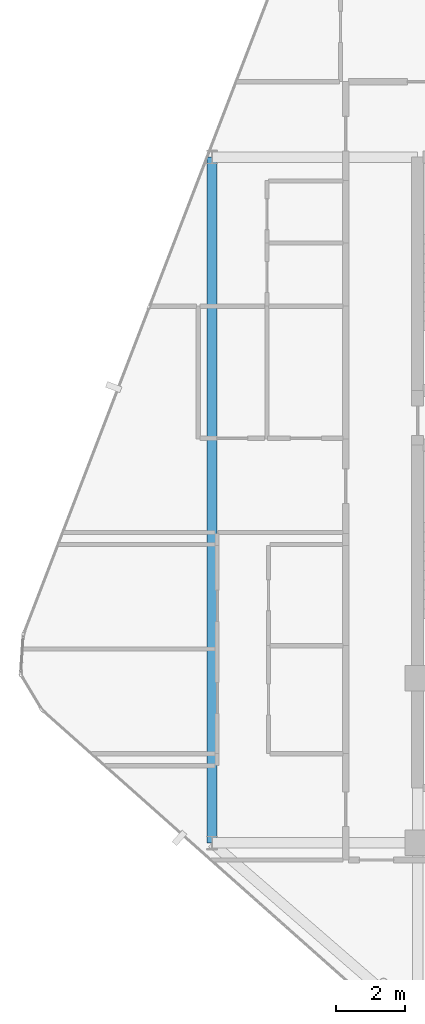
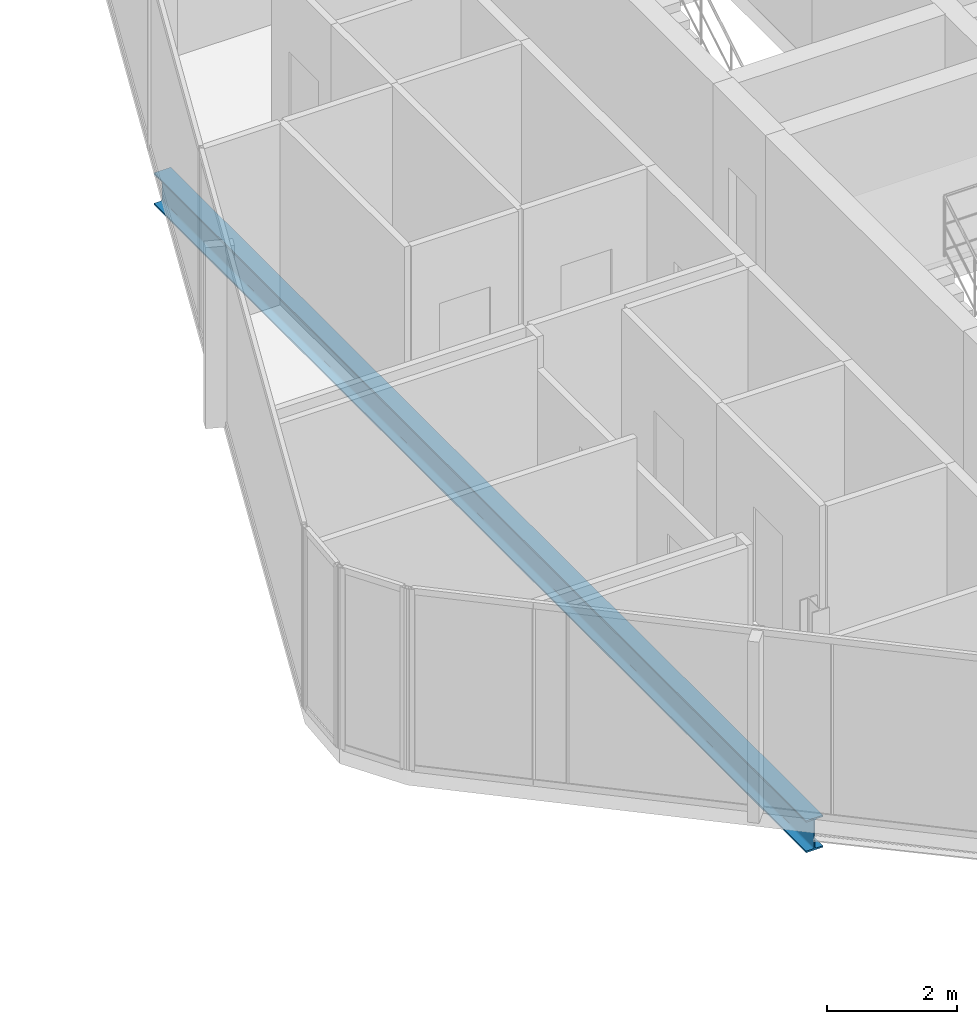
# One storey, part 9 of 28: 1 beam.
"""IFC4 building model written with IfcOpenShell, lengths in metres."""

import ifcopenshell
import ifcopenshell.guid

model = None  # the IFC model being written
_history = None  # IfcOwnerHistory: only IFC2X3 demands one
_inside = {}  # id of a spatial element -> (the spatial element, [elements in it])
_under = {}  # id of a project, library or spatial element -> (it, [spatial elements below it])
_declared = {}  # id of a project -> (the project, [libraries it declares])
_typed = {}  # id of a type object -> (the type object, [elements of that type])
_made_of = {}  # id of a material, layer set ... -> (it, [elements and type objects made of it])


def new_model(schema):
    """Start an empty IFC model of exactly this schema.

    Asked for "IFC4X3", IfcOpenShell would pick the latest addendum, in which some entities
    have other attributes; the version numbers below select the first issue.
    IFC2X3 requires an IfcOwnerHistory on every rooted entity: one is made here for all.
    """
    global model, _history
    if schema == "IFC4X3":
        model = ifcopenshell.file(schema_version=(4, 3, 0, 0))
    else:
        model = ifcopenshell.file(schema=schema)
    _inside.clear()
    _under.clear()
    _declared.clear()
    _typed.clear()
    _made_of.clear()
    _history = None
    if model.schema == "IFC2X3":
        org = make("IfcOrganization", Name="unknown")
        user = make(
            "IfcPersonAndOrganization",
            ThePerson=make("IfcPerson", FamilyName="unknown"),
            TheOrganization=org,
        )
        app = make(
            "IfcApplication",
            ApplicationDeveloper=org,
            Version="unknown",
            ApplicationFullName="unknown",
            ApplicationIdentifier="unknown",
        )
        _history = make(
            "IfcOwnerHistory",
            OwningUser=user,
            OwningApplication=app,
            ChangeAction="ADDED",
            CreationDate=0,
        )
    return model


def make(cls, **values):
    """One entity of the class cls with the attributes given. An attribute that is None is left unset."""
    return model.create_entity(
        cls, **{name: value for name, value in values.items() if value is not None}
    )


def rooted(cls, **values):
    """An entity with a GlobalId (a new one), such as an element, a storey or a relation."""
    return make(cls, GlobalId=ifcopenshell.guid.new(), OwnerHistory=_history, **values)


def si_unit(unit_type, name, prefix=None):
    """IfcSIUnit, for example si_unit("LENGTHUNIT", "METRE", prefix="MILLI")."""
    return make("IfcSIUnit", UnitType=unit_type, Prefix=prefix, Name=name)


def assignment(units):
    """IfcUnitAssignment: the units of a project."""
    return None if units is None else make("IfcUnitAssignment", Units=units)


def point(xyz):
    """IfcCartesianPoint."""
    return None if xyz is None else make("IfcCartesianPoint", Coordinates=xyz)


def direction(xyz):
    """IfcDirection."""
    return None if xyz is None else make("IfcDirection", DirectionRatios=xyz)


def frame(location, z_axis=None, x_axis=None):
    """IfcAxis2Placement3D, a coordinate frame: its origin and axes. An axis left out is left unset."""
    return make(
        "IfcAxis2Placement3D",
        Location=point(location),
        Axis=direction(z_axis),
        RefDirection=direction(x_axis),
    )


def frame_2d(location, x_axis=None):
    """IfcAxis2Placement2D, a coordinate frame in the plane: its origin and x axis."""
    return make(
        "IfcAxis2Placement2D", Location=point(location), RefDirection=direction(x_axis)
    )


def origin():
    """The frame at (0, 0, 0) with its axes left unset."""
    return frame((0.0, 0.0, 0.0))


def origin_2d():
    """The frame at (0, 0) in the plane with its x axis left unset."""
    return frame_2d((0.0, 0.0))


def place(relative_to, where):
    """IfcLocalPlacement: puts the frame where relative to a parent placement (None: the world)."""
    return make(
        "IfcLocalPlacement", PlacementRelTo=relative_to, RelativePlacement=where
    )


def context(
    kind, dimensions, precision=None, world=None, true_north=None, identifier=None
):
    """IfcGeometricRepresentationContext, for example the 3D "Model" context."""
    return make(
        "IfcGeometricRepresentationContext",
        ContextIdentifier=identifier,
        ContextType=kind,
        CoordinateSpaceDimension=dimensions,
        Precision=precision,
        WorldCoordinateSystem=world,
        TrueNorth=true_north,
    )


def subcontext(parent, identifier, kind, view, scale=None):
    """IfcGeometricRepresentationSubContext, for example "Body" below "Model"."""
    return make(
        "IfcGeometricRepresentationSubContext",
        ContextIdentifier=identifier,
        ContextType=kind,
        ParentContext=parent,
        TargetScale=scale,
        TargetView=view,
    )


def project(units=None, contexts=None):
    """IfcProject with its units and contexts."""
    return rooted(
        "IfcProject",
        Name="project",
        RepresentationContexts=contexts,
        UnitsInContext=assignment(units),
    )


def spatial(cls, under=None, at=None, **own):
    """A site, building, storey or space (cls), placed at a placement, below another one or the project."""
    s = rooted(cls, ObjectPlacement=at, **own)
    if under is not None:
        _under.setdefault(under.id(), (under, []))[1].append(s)
    return s


def profile(cls, at=None, kind="AREA", **sizes):
    """A parametric profile (cls). Its sizes go by their IFC names, for example OverallWidth=200.0."""
    return make(cls, ProfileType=kind, Position=at, **sizes)


def i_section(**sizes):
    """IfcIShapeProfileDef."""
    return profile("IfcIShapeProfileDef", **sizes)


def extrude(swept, where, along, depth):
    """IfcExtrudedAreaSolid: the profile swept, set in the frame where, extruded along a direction by depth."""
    return make(
        "IfcExtrudedAreaSolid",
        SweptArea=swept,
        Position=where,
        ExtrudedDirection=direction(along),
        Depth=depth,
    )


def shape(context_of_items, identifier, shape_type, items):
    """IfcShapeRepresentation: the items that make up one representation, for example the "Body"."""
    return make(
        "IfcShapeRepresentation",
        ContextOfItems=context_of_items,
        RepresentationIdentifier=identifier,
        RepresentationType=shape_type,
        Items=items,
    )


def material(Name=None, Category=None):
    """IfcMaterial."""
    return make("IfcMaterial", Name=Name, Category=Category)


def material_profile(
    of_material, cross_section, Name=None, Category=None, Priority=None
):
    """IfcMaterialProfile: a cross section and its material."""
    return make(
        "IfcMaterialProfile",
        Name=Name,
        Material=of_material,
        Profile=cross_section,
        Priority=Priority,
        Category=Category,
    )


def profile_set(profiles, Name=None, composite=None):
    """IfcMaterialProfileSet."""
    return make(
        "IfcMaterialProfileSet",
        Name=Name,
        MaterialProfiles=profiles,
        CompositeProfile=composite,
    )


def made_of(thing, what):
    """Note that an element or type object is made of a material, layer set ...; save() writes the relation."""
    if what is not None:
        _made_of.setdefault(what.id(), (what, []))[1].append(thing)
    return thing


def type_object(cls, material=None, **own):
    """A type object (cls), such as IfcWallType, which elements share."""
    return made_of(rooted(cls, **own), material)


def element(
    cls,
    number,
    at=None,
    inside=None,
    cuts=None,
    type_object=None,
    material=None,
    context=None,
    identifier="Body",
    shape_type=None,
    held_by="IfcProductDefinitionShape",
    body=None,
    shapes=None,
    **own,
):
    """One element of the class cls, such as IfcWall. Its Tag is "e" and its number.

    at: its placement. inside: the storey or other place that contains it. cuts: it is an
    opening in that element (IfcRelVoidsElement). A single representation is given by context,
    identifier, shape_type and body (its items); several are given by shapes. held_by: the class
    of the entity that holds the representations. save() writes the other relations.
    """
    e = rooted(cls, Tag="e%d" % number, ObjectPlacement=at, **own)
    if body is not None:
        shapes = [shape(context, identifier, shape_type, body)]
    if shapes is not None:
        e.Representation = make(held_by, Representations=shapes)
    if inside is not None:
        _inside.setdefault(inside.id(), (inside, []))[1].append(e)
    if cuts is not None:
        rooted(
            "IfcRelVoidsElement", RelatingBuildingElement=cuts, RelatedOpeningElement=e
        )
    if type_object is not None:
        _typed.setdefault(type_object.id(), (type_object, []))[1].append(e)
    return made_of(e, material)


def aggregate(whole, parts):
    """IfcRelAggregates: a whole, such as a stair, and the parts it consists of."""
    return rooted("IfcRelAggregates", RelatingObject=whole, RelatedObjects=parts)


def save(model, path):
    """Write the relations noted so far, then the file.

    IfcRelAggregates (storeys below a building ...), IfcRelContainedInSpatialStructure (elements
    in a storey), IfcRelDefinesByType, IfcRelAssociatesMaterial and IfcRelDeclares: one each for
    every whole, place, type object, material and project.
    """
    for whole, parts in _under.values():
        aggregate(whole, parts)
    for where, things in _inside.values():
        rooted(
            "IfcRelContainedInSpatialStructure",
            RelatedElements=things,
            RelatingStructure=where,
        )
    for kind, things in _typed.values():
        rooted("IfcRelDefinesByType", RelatedObjects=things, RelatingType=kind)
    for what, things in _made_of.values():
        rooted("IfcRelAssociatesMaterial", RelatedObjects=things, RelatingMaterial=what)
    for by, libraries in _declared.values():
        rooted("IfcRelDeclares", RelatingContext=by, RelatedDefinitions=libraries)
    model.write(path)


model = new_model("IFC4")

# Units and contexts
model_context = context("Model", 3, precision=1e-05, world=origin(), true_north=direction((0.0, 1.0)))
body_context = subcontext(model_context, "Body", "Model", "MODEL_VIEW")
ifc_project = project(units=[si_unit("LENGTHUNIT", "METRE"), si_unit("AREAUNIT", "SQUARE_METRE"), si_unit("VOLUMEUNIT", "CUBIC_METRE"), si_unit("PLANEANGLEUNIT", "RADIAN"), si_unit("MASSUNIT", "GRAM", prefix="KILO")], contexts=[model_context])

# Site, building, storey
site_placement = place(None, origin())
site = spatial("IfcSite", under=ifc_project, at=site_placement, CompositionType="ELEMENT")
building_placement = place(site_placement, origin())
building = spatial("IfcBuilding", under=site, at=building_placement, Name="Keshet Zoharim Tower", CompositionType="ELEMENT")
storey_placement = place(building_placement, frame((0.0, 0.0, 265.800048828125)))
storey = spatial("IfcBuildingStorey", under=building, at=storey_placement, Name="L66", CompositionType="ELEMENT", Elevation=265.800048828125)

# Beam
ifc_material = material(Name="Steel S355", Category="steel")
ifc_material_profile = material_profile(ifc_material, i_section(OverallWidth=0.300048828125, OverallDepth=0.60009765625, WebThickness=0.015380859375, FlangeThickness=0.030029296875, FilletRadius=0.027099609375, at=origin_2d()), Name="HEB600")
ifc_profile_set = profile_set([ifc_material_profile], Name="Steel S355")
beam_type = type_object("IfcBeamType", Name="BM-LNG-HB600", PredefinedType="BEAM", material=ifc_profile_set)
beam_placement = place(storey_placement, frame((9.0, 17.89990234375, -0.610107421875), z_axis=(0.0, 1.0, 0.0), x_axis=(-1.0, 0.0, 0.0)))
element("IfcBeam", 1, at=beam_placement, inside=storey, type_object=beam_type, Name="L66 Primary Girder Y-001", PredefinedType="BEAM", context=body_context, shape_type="SweptSolid", body=[
    extrude(i_section(OverallWidth=0.300048828125, OverallDepth=0.60009765625, WebThickness=0.015380859375, FlangeThickness=0.030029296875, FilletRadius=0.027099609375, at=origin_2d()), origin(), (0.0, 0.0, 1.0), 20.0),
])

save(model, "model.ifc")
